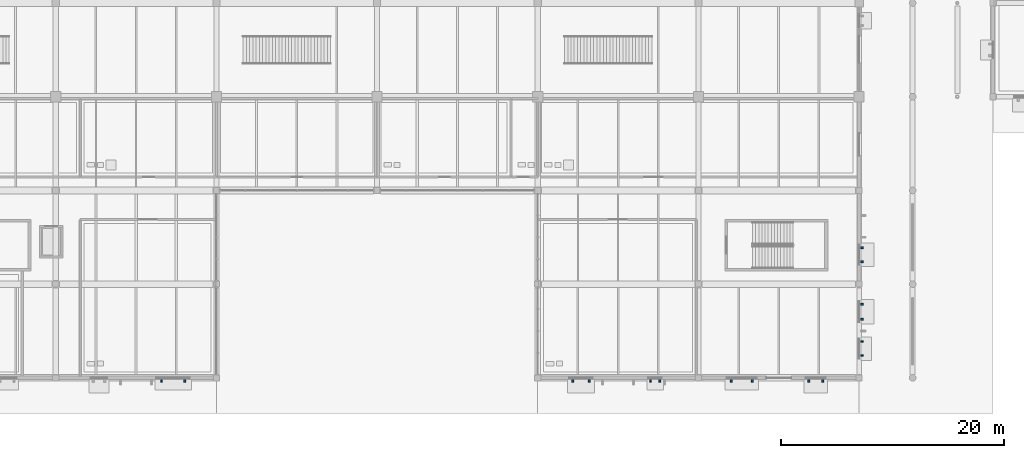
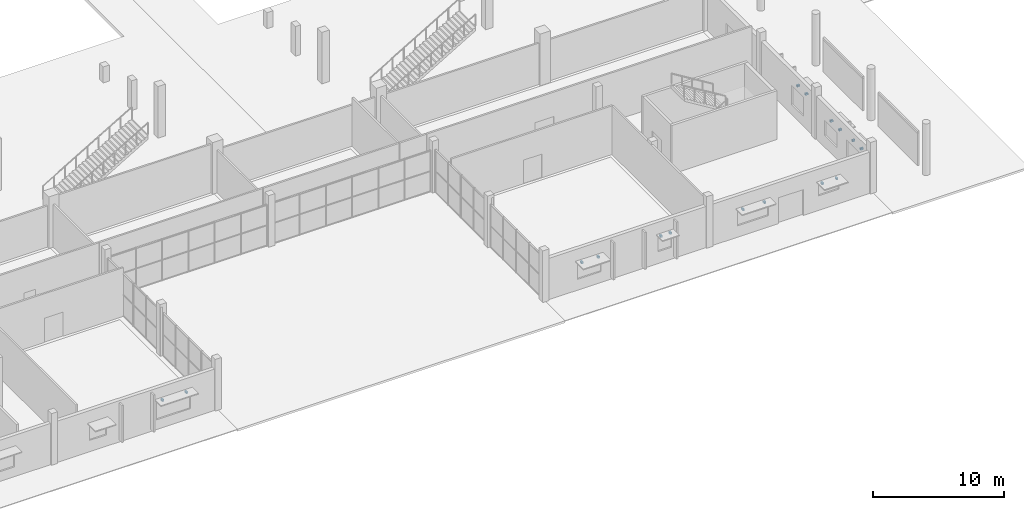
# One storey, part 102 of 130: 16 discrete accessories.
"""IFC4 building model written with IfcOpenShell, lengths in metres."""

from ifc_helpers import new_model, si_unit, direction, frame, origin, origin_2d, place, context, subcontext, project, spatial, rectangle, extrude, material, type_object, element, save


model = new_model("IFC4")

# Units and contexts
model_context = context("Model", 3, precision=1e-05, world=origin(), true_north=direction((0.0, 1.0)))
body_context = subcontext(model_context, "Body", "Model", "MODEL_VIEW")
ifc_project = project(units=[si_unit("LENGTHUNIT", "METRE"), si_unit("AREAUNIT", "SQUARE_METRE"), si_unit("VOLUMEUNIT", "CUBIC_METRE"), si_unit("PLANEANGLEUNIT", "RADIAN"), si_unit("MASSUNIT", "GRAM", prefix="KILO"), si_unit("THERMODYNAMICTEMPERATUREUNIT", "KELVIN")], contexts=[model_context])

# Site, building, storey
site_placement = place(None, origin())
site = spatial("IfcSite", under=ifc_project, at=site_placement, CompositionType="ELEMENT")
building_placement = place(site_placement, origin())
building = spatial("IfcBuilding", under=site, at=building_placement, Name="Nduvali Passage Aquatics Centre", CompositionType="ELEMENT")
storey_placement = place(building_placement, origin())
storey = spatial("IfcBuildingStorey", under=building, at=storey_placement, Name="L00", CompositionType="ELEMENT", Elevation=0.0)

# Discrete accessories
ifc_material = material(Name="Steel S355", Category="steel")
discrete_accessory_type = type_object("IfcDiscreteAccessoryType", Name="ENV-BRK-S355", PredefinedType="BRACKET", material=ifc_material)
for number, where, z_axis, x_axis, name in (
    (1, (63.47412109375, -0.27001953125, 2.5849609375), (0.0, 0.0, 1.0), (1.0, 0.0, 0.0), "L00 Sunshade Bracket 0007"),
    (2, (65.573974609375, -0.27001953125, 2.5849609375), (0.0, 0.0, 1.0), (1.0, 0.0, 0.0), "L00 Sunshade Bracket 0008"),
    (3, (100.341064453125, -0.27001953125, 2.47998046875), (0.0, 0.0, 1.0), (1.0, 0.0, 0.0), "L00 Sunshade Bracket 0009"),
    (4, (101.81103515625, -0.27001953125, 2.47998046875), (0.0, 0.0, 1.0), (1.0, 0.0, 0.0), "L00 Sunshade Bracket 0010"),
    (5, (107.303955078125, -0.27001953125, 2.48486328125), (0.0, 0.0, 1.0), (1.0, 0.0, 0.0), "L00 Sunshade Bracket 0011"),
    (6, (108.14404296875, -0.27001953125, 2.48486328125), (0.0, 0.0, 1.0), (1.0, 0.0, 0.0), "L00 Sunshade Bracket 0012"),
    (7, (114.531005859375, -0.27001953125, 2.43505859375), (0.0, 0.0, 1.0), (1.0, 0.0, 0.0), "L00 Sunshade Bracket 0013"),
    (8, (116.4208984375, -0.27001953125, 2.43505859375), (0.0, 0.0, 1.0), (1.0, 0.0, 0.0), "L00 Sunshade Bracket 0014"),
    (9, (121.493896484375, -0.27001953125, 2.43017578125), (0.0, 0.0, 1.0), (1.0, 0.0, 0.0), "L00 Sunshade Bracket 0015"),
    (10, (122.75390625, -0.27001953125, 2.43017578125), (0.0, 0.0, 1.0), (1.0, 0.0, 0.0), "L00 Sunshade Bracket 0016"),
    (11, (126.27001953125, 2.0, 2.5849609375), (0.0, 0.0, 1.0), (0.0, 1.0, 0.0), "L00 Sunshade Bracket 0021"),
    (12, (126.27001953125, 3.260009765625, 2.5849609375), (0.0, 0.0, 1.0), (0.0, 1.0, 0.0), "L00 Sunshade Bracket 0022"),
    (13, (126.27001953125, 5.261962890625, 2.3798828125), (0.0, 0.0, 1.0), (0.0, 1.0, 0.0), "L00 Sunshade Bracket 0023"),
    (14, (126.27001953125, 6.592041015625, 2.3798828125), (0.0, 0.0, 1.0), (0.0, 1.0, 0.0), "L00 Sunshade Bracket 0024"),
    (15, (126.27001953125, 10.39990234375, 2.580078125), (0.0, 0.0, 1.0), (0.0, 1.0, 0.0), "L00 Sunshade Bracket 0025"),
    (16, (126.27001953125, 11.659912109375, 2.580078125), (0.0, 0.0, 1.0), (0.0, 1.0, 0.0), "L00 Sunshade Bracket 0026"),
):
    element("IfcDiscreteAccessory", number, at=place(storey_placement, frame(where, z_axis=z_axis, x_axis=x_axis)), inside=storey, type_object=discrete_accessory_type, Name=name, PredefinedType="BRACKET", context=body_context, shape_type="SweptSolid", body=[
        extrude(rectangle(XDim=0.159912109375, YDim=0.239990234375, at=origin_2d()), origin(), (0.0, 0.0, 1.0), 0.179931640625),
    ])

save(model, "model.ifc")
